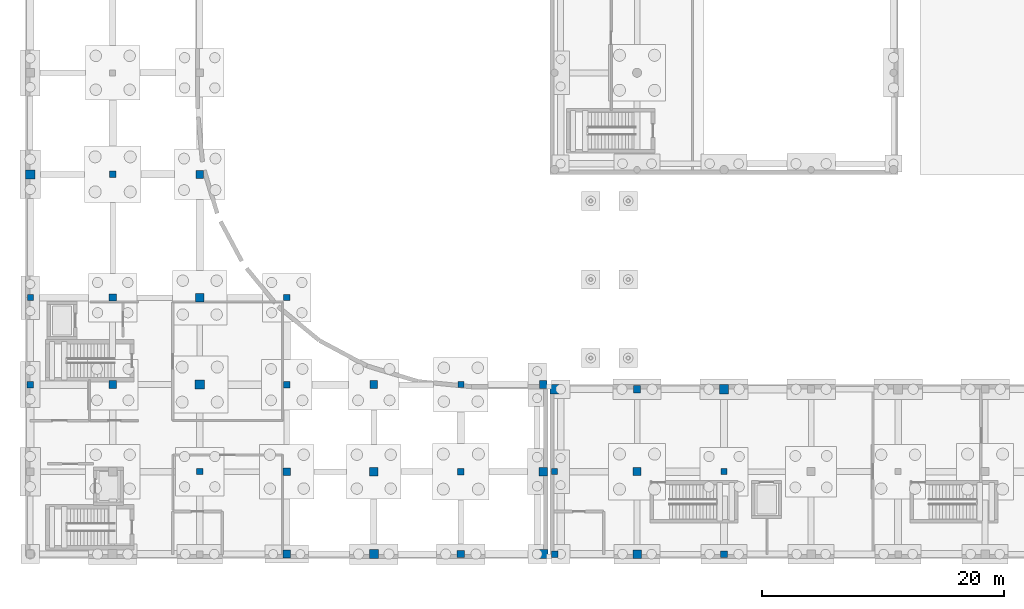
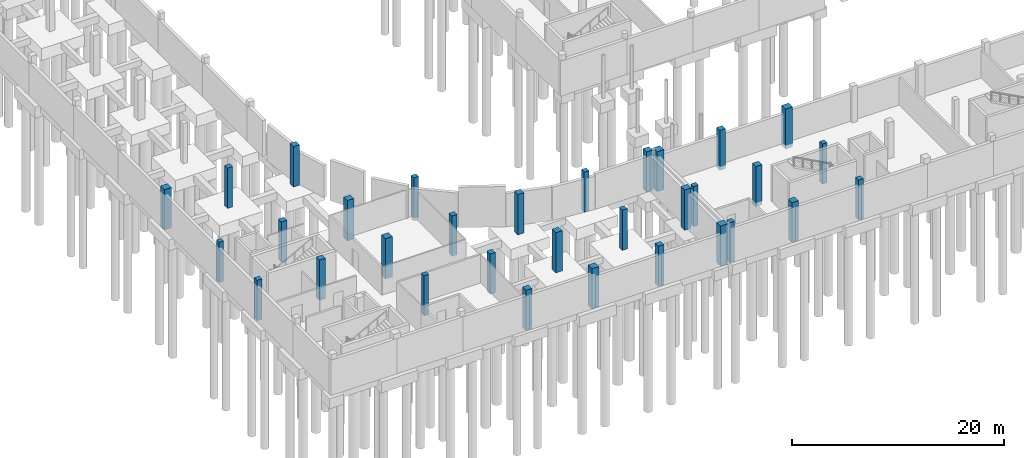
# One storey, part 11 of 41: 32 columns.
"""IFC4 building model written with IfcOpenShell, lengths in metres."""

import ifcopenshell
import ifcopenshell.guid

model = None  # the IFC model being written
_history = None  # IfcOwnerHistory: only IFC2X3 demands one
_inside = {}  # id of a spatial element -> (the spatial element, [elements in it])
_under = {}  # id of a project, library or spatial element -> (it, [spatial elements below it])
_declared = {}  # id of a project -> (the project, [libraries it declares])
_typed = {}  # id of a type object -> (the type object, [elements of that type])
_made_of = {}  # id of a material, layer set ... -> (it, [elements and type objects made of it])


def new_model(schema):
    """Start an empty IFC model of exactly this schema.

    Asked for "IFC4X3", IfcOpenShell would pick the latest addendum, in which some entities
    have other attributes; the version numbers below select the first issue.
    IFC2X3 requires an IfcOwnerHistory on every rooted entity: one is made here for all.
    """
    global model, _history
    if schema == "IFC4X3":
        model = ifcopenshell.file(schema_version=(4, 3, 0, 0))
    else:
        model = ifcopenshell.file(schema=schema)
    _inside.clear()
    _under.clear()
    _declared.clear()
    _typed.clear()
    _made_of.clear()
    _history = None
    if model.schema == "IFC2X3":
        org = make("IfcOrganization", Name="unknown")
        user = make(
            "IfcPersonAndOrganization",
            ThePerson=make("IfcPerson", FamilyName="unknown"),
            TheOrganization=org,
        )
        app = make(
            "IfcApplication",
            ApplicationDeveloper=org,
            Version="unknown",
            ApplicationFullName="unknown",
            ApplicationIdentifier="unknown",
        )
        _history = make(
            "IfcOwnerHistory",
            OwningUser=user,
            OwningApplication=app,
            ChangeAction="ADDED",
            CreationDate=0,
        )
    return model


def make(cls, **values):
    """One entity of the class cls with the attributes given. An attribute that is None is left unset."""
    return model.create_entity(
        cls, **{name: value for name, value in values.items() if value is not None}
    )


def rooted(cls, **values):
    """An entity with a GlobalId (a new one), such as an element, a storey or a relation."""
    return make(cls, GlobalId=ifcopenshell.guid.new(), OwnerHistory=_history, **values)


def si_unit(unit_type, name, prefix=None):
    """IfcSIUnit, for example si_unit("LENGTHUNIT", "METRE", prefix="MILLI")."""
    return make("IfcSIUnit", UnitType=unit_type, Prefix=prefix, Name=name)


def assignment(units):
    """IfcUnitAssignment: the units of a project."""
    return None if units is None else make("IfcUnitAssignment", Units=units)


def point(xyz):
    """IfcCartesianPoint."""
    return None if xyz is None else make("IfcCartesianPoint", Coordinates=xyz)


def direction(xyz):
    """IfcDirection."""
    return None if xyz is None else make("IfcDirection", DirectionRatios=xyz)


def frame(location, z_axis=None, x_axis=None):
    """IfcAxis2Placement3D, a coordinate frame: its origin and axes. An axis left out is left unset."""
    return make(
        "IfcAxis2Placement3D",
        Location=point(location),
        Axis=direction(z_axis),
        RefDirection=direction(x_axis),
    )


def frame_2d(location, x_axis=None):
    """IfcAxis2Placement2D, a coordinate frame in the plane: its origin and x axis."""
    return make(
        "IfcAxis2Placement2D", Location=point(location), RefDirection=direction(x_axis)
    )


def origin():
    """The frame at (0, 0, 0) with its axes left unset."""
    return frame((0.0, 0.0, 0.0))


def origin_2d():
    """The frame at (0, 0) in the plane with its x axis left unset."""
    return frame_2d((0.0, 0.0))


def place(relative_to, where):
    """IfcLocalPlacement: puts the frame where relative to a parent placement (None: the world)."""
    return make(
        "IfcLocalPlacement", PlacementRelTo=relative_to, RelativePlacement=where
    )


def context(
    kind, dimensions, precision=None, world=None, true_north=None, identifier=None
):
    """IfcGeometricRepresentationContext, for example the 3D "Model" context."""
    return make(
        "IfcGeometricRepresentationContext",
        ContextIdentifier=identifier,
        ContextType=kind,
        CoordinateSpaceDimension=dimensions,
        Precision=precision,
        WorldCoordinateSystem=world,
        TrueNorth=true_north,
    )


def subcontext(parent, identifier, kind, view, scale=None):
    """IfcGeometricRepresentationSubContext, for example "Body" below "Model"."""
    return make(
        "IfcGeometricRepresentationSubContext",
        ContextIdentifier=identifier,
        ContextType=kind,
        ParentContext=parent,
        TargetScale=scale,
        TargetView=view,
    )


def project(units=None, contexts=None):
    """IfcProject with its units and contexts."""
    return rooted(
        "IfcProject",
        Name="project",
        RepresentationContexts=contexts,
        UnitsInContext=assignment(units),
    )


def spatial(cls, under=None, at=None, **own):
    """A site, building, storey or space (cls), placed at a placement, below another one or the project."""
    s = rooted(cls, ObjectPlacement=at, **own)
    if under is not None:
        _under.setdefault(under.id(), (under, []))[1].append(s)
    return s


def profile(cls, at=None, kind="AREA", **sizes):
    """A parametric profile (cls). Its sizes go by their IFC names, for example OverallWidth=200.0."""
    return make(cls, ProfileType=kind, Position=at, **sizes)


def rectangle(**sizes):
    """IfcRectangleProfileDef."""
    return profile("IfcRectangleProfileDef", **sizes)


def extrude(swept, where, along, depth):
    """IfcExtrudedAreaSolid: the profile swept, set in the frame where, extruded along a direction by depth."""
    return make(
        "IfcExtrudedAreaSolid",
        SweptArea=swept,
        Position=where,
        ExtrudedDirection=direction(along),
        Depth=depth,
    )


def shape(context_of_items, identifier, shape_type, items):
    """IfcShapeRepresentation: the items that make up one representation, for example the "Body"."""
    return make(
        "IfcShapeRepresentation",
        ContextOfItems=context_of_items,
        RepresentationIdentifier=identifier,
        RepresentationType=shape_type,
        Items=items,
    )


def material(Name=None, Category=None):
    """IfcMaterial."""
    return make("IfcMaterial", Name=Name, Category=Category)


def material_profile(
    of_material, cross_section, Name=None, Category=None, Priority=None
):
    """IfcMaterialProfile: a cross section and its material."""
    return make(
        "IfcMaterialProfile",
        Name=Name,
        Material=of_material,
        Profile=cross_section,
        Priority=Priority,
        Category=Category,
    )


def profile_set(profiles, Name=None, composite=None):
    """IfcMaterialProfileSet."""
    return make(
        "IfcMaterialProfileSet",
        Name=Name,
        MaterialProfiles=profiles,
        CompositeProfile=composite,
    )


def made_of(thing, what):
    """Note that an element or type object is made of a material, layer set ...; save() writes the relation."""
    if what is not None:
        _made_of.setdefault(what.id(), (what, []))[1].append(thing)
    return thing


def type_object(cls, material=None, **own):
    """A type object (cls), such as IfcWallType, which elements share."""
    return made_of(rooted(cls, **own), material)


def element(
    cls,
    number,
    at=None,
    inside=None,
    cuts=None,
    type_object=None,
    material=None,
    context=None,
    identifier="Body",
    shape_type=None,
    held_by="IfcProductDefinitionShape",
    body=None,
    shapes=None,
    **own,
):
    """One element of the class cls, such as IfcWall. Its Tag is "e" and its number.

    at: its placement. inside: the storey or other place that contains it. cuts: it is an
    opening in that element (IfcRelVoidsElement). A single representation is given by context,
    identifier, shape_type and body (its items); several are given by shapes. held_by: the class
    of the entity that holds the representations. save() writes the other relations.
    """
    e = rooted(cls, Tag="e%d" % number, ObjectPlacement=at, **own)
    if body is not None:
        shapes = [shape(context, identifier, shape_type, body)]
    if shapes is not None:
        e.Representation = make(held_by, Representations=shapes)
    if inside is not None:
        _inside.setdefault(inside.id(), (inside, []))[1].append(e)
    if cuts is not None:
        rooted(
            "IfcRelVoidsElement", RelatingBuildingElement=cuts, RelatedOpeningElement=e
        )
    if type_object is not None:
        _typed.setdefault(type_object.id(), (type_object, []))[1].append(e)
    return made_of(e, material)


def aggregate(whole, parts):
    """IfcRelAggregates: a whole, such as a stair, and the parts it consists of."""
    return rooted("IfcRelAggregates", RelatingObject=whole, RelatedObjects=parts)


def save(model, path):
    """Write the relations noted so far, then the file.

    IfcRelAggregates (storeys below a building ...), IfcRelContainedInSpatialStructure (elements
    in a storey), IfcRelDefinesByType, IfcRelAssociatesMaterial and IfcRelDeclares: one each for
    every whole, place, type object, material and project.
    """
    for whole, parts in _under.values():
        aggregate(whole, parts)
    for where, things in _inside.values():
        rooted(
            "IfcRelContainedInSpatialStructure",
            RelatedElements=things,
            RelatingStructure=where,
        )
    for kind, things in _typed.values():
        rooted("IfcRelDefinesByType", RelatedObjects=things, RelatingType=kind)
    for what, things in _made_of.values():
        rooted("IfcRelAssociatesMaterial", RelatedObjects=things, RelatingMaterial=what)
    for by, libraries in _declared.values():
        rooted("IfcRelDeclares", RelatingContext=by, RelatedDefinitions=libraries)
    model.write(path)


model = new_model("IFC4")

# Units and contexts
model_context = context("Model", 3, precision=1e-05, world=origin(), true_north=direction((0.0, 1.0)))
body_context = subcontext(model_context, "Body", "Model", "MODEL_VIEW")
ifc_project = project(units=[si_unit("LENGTHUNIT", "METRE"), si_unit("AREAUNIT", "SQUARE_METRE"), si_unit("VOLUMEUNIT", "CUBIC_METRE"), si_unit("PLANEANGLEUNIT", "RADIAN"), si_unit("MASSUNIT", "GRAM", prefix="KILO")], contexts=[model_context])

# Site, building, storey
site_placement = place(None, origin())
site = spatial("IfcSite", under=ifc_project, at=site_placement, CompositionType="ELEMENT")
building_placement = place(site_placement, origin())
building = spatial("IfcBuilding", under=site, at=building_placement, Name="Vardoun Plaza Health Centre", CompositionType="ELEMENT")
storey_placement = place(building_placement, frame((0.0, 0.0, -4.5)))
storey = spatial("IfcBuildingStorey", under=building, at=storey_placement, Name="B1", CompositionType="ELEMENT", Elevation=-4.5)

# Columns
ifc_material_1 = material(Name="Concrete C40/50", Category="concrete")
ifc_material_profile_1 = material_profile(ifc_material_1, rectangle(XDim=0.5, YDim=0.5, at=origin_2d()), Name="RC-COL 500x500")
ifc_profile_set_1 = profile_set([ifc_material_profile_1], Name="Concrete C40/50")
column_type_1 = type_object("IfcColumnType", Name="C-06", PredefinedType="COLUMN", material=ifc_profile_set_1)
for number, where, z_axis, x_axis, name in (
    (1, (4.8798828125, 26.10009765625, -0.419921875), (0.0, 0.0, 1.0), (1.0, 0.0, 0.0), "V2 B1 Column C-V2-04"),
    (2, (18.89990234375, 11.699951171875, -0.419921875), (0.0, 0.0, 1.0), (1.0, 0.0, 0.0), "V2 B1 Column C-V2-22"),
    (3, (26.10009765625, 26.10009765625, -0.419921875), (0.0, 0.0, 1.0), (1.0, 0.0, 0.0), "V2 B1 Column C-V2-34"),
    (4, (40.5, 18.89990234375, -0.419921875), (0.0, 0.0, 1.0), (1.0, 0.0, 0.0), "V2 B1 Column C-V2-40"),
):
    element("IfcColumn", number, at=place(storey_placement, frame(where, z_axis=z_axis, x_axis=x_axis)), inside=storey, type_object=column_type_1, Name=name, PredefinedType="COLUMN", context=body_context, shape_type="SweptSolid", body=[
        extrude(rectangle(XDim=0.5, YDim=0.5, at=origin_2d()), origin(), (0.0, 0.0, 1.0), 4.639892578125),
    ])
for number, where, z_axis, x_axis, name in (
    (5, (48.260009765625, 11.699951171875, -0.419921875), (0.0, 0.0, 1.0), (1.0, 0.0, 0.0), "V4 B1 Column C-V4-02"),
    (6, (62.280029296875, 11.699951171875, -0.419921875), (0.0, 0.0, 1.0), (1.0, 0.0, 0.0), "V4 B1 Column C-V4-08"),
):
    element("IfcColumn", number, at=place(storey_placement, frame(where, z_axis=z_axis, x_axis=x_axis)), inside=storey, type_object=column_type_1, Name=name, PredefinedType="COLUMN", context=body_context, shape_type="SweptSolid", body=[
        extrude(rectangle(XDim=0.5, YDim=0.5, at=origin_2d()), origin(), (0.0, 0.0, 1.0), 4.60498046875),
    ])
ifc_material_2 = material(Name="Concrete C40/50", Category="concrete")
ifc_material_profile_2 = material_profile(ifc_material_2, rectangle(XDim=0.550048828125, YDim=0.550048828125, at=origin_2d()), Name="RC-COL 550x550")
ifc_profile_set_2 = profile_set([ifc_material_profile_2], Name="Concrete C40/50")
column_type_2 = type_object("IfcColumnType", Name="C-05", PredefinedType="COLUMN", material=ifc_profile_set_2)
for number, where, z_axis, x_axis, name in (
    (7, (4.8798828125, 18.89990234375, -0.419921875), (0.0, 0.0, 1.0), (1.0, 0.0, 0.0), "V2 B1 Column C-V2-03"),
    (8, (11.699951171875, 36.300048828125, -0.419921875), (0.0, 0.0, 1.0), (1.0, 0.0, 0.0), "V2 B1 Column C-V2-15"),
    (9, (26.10009765625, 18.89990234375, -0.419921875), (0.0, 0.0, 1.0), (1.0, 0.0, 0.0), "V2 B1 Column C-V2-33"),
    (10, (40.5, 11.699951171875, -0.419921875), (0.0, 0.0, 1.0), (1.0, 0.0, 0.0), "V2 B1 Column C-V2-39"),
):
    element("IfcColumn", number, at=place(storey_placement, frame(where, z_axis=z_axis, x_axis=x_axis)), inside=storey, type_object=column_type_2, Name=name, PredefinedType="COLUMN", context=body_context, shape_type="SweptSolid", body=[
        extrude(rectangle(XDim=0.550048828125, YDim=0.550048828125, at=origin_2d()), origin(), (0.0, 0.0, 1.0), 4.639892578125),
    ])
for number, where, z_axis, x_axis, name in (
    (11, (48.260009765625, 4.8798828125, -0.419921875), (0.0, 0.0, 1.0), (1.0, 0.0, 0.0), "V4 B1 Column C-V4-01"),
    (12, (62.280029296875, 4.8798828125, -0.419921875), (0.0, 0.0, 1.0), (1.0, 0.0, 0.0), "V4 B1 Column C-V4-07"),
):
    element("IfcColumn", number, at=place(storey_placement, frame(where, z_axis=z_axis, x_axis=x_axis)), inside=storey, type_object=column_type_2, Name=name, PredefinedType="COLUMN", context=body_context, shape_type="SweptSolid", body=[
        extrude(rectangle(XDim=0.550048828125, YDim=0.550048828125, at=origin_2d()), origin(), (0.0, 0.0, 1.0), 4.60498046875),
    ])
ifc_material_3 = material(Name="Concrete C40/50", Category="concrete")
ifc_material_profile_3 = material_profile(ifc_material_3, rectangle(XDim=0.60009765625, YDim=0.60009765625, at=origin_2d()), Name="RC-COL 600x600")
ifc_profile_set_3 = profile_set([ifc_material_profile_3], Name="Concrete C40/50")
column_type_3 = type_object("IfcColumnType", Name="C-04", PredefinedType="COLUMN", material=ifc_profile_set_3)
for number, where, z_axis, x_axis, name in (
    (13, (11.699951171875, 26.10009765625, -0.419921875), (0.0, 0.0, 1.0), (1.0, 0.0, 0.0), "V2 B1 Column C-V2-14"),
    (14, (26.10009765625, 11.699951171875, -0.419921875), (0.0, 0.0, 1.0), (1.0, 0.0, 0.0), "V2 B1 Column C-V2-32"),
    (15, (40.5, 4.8798828125, -0.419921875), (0.0, 0.0, 1.0), (1.0, 0.0, 0.0), "V2 B1 Column C-V2-38"),
):
    element("IfcColumn", number, at=place(storey_placement, frame(where, z_axis=z_axis, x_axis=x_axis)), inside=storey, type_object=column_type_3, Name=name, PredefinedType="COLUMN", context=body_context, shape_type="SweptSolid", body=[
        extrude(rectangle(XDim=0.60009765625, YDim=0.60009765625, at=origin_2d()), origin(), (0.0, 0.0, 1.0), 4.639892578125),
    ])
column_1_placement = place(storey_placement, frame((55.080078125, 18.52001953125, -0.419921875), z_axis=(0.0, 0.0, 1.0), x_axis=(1.0, 0.0, 0.0)))
element("IfcColumn", 16, at=column_1_placement, inside=storey, type_object=column_type_3, Name="V4 B1 Column C-V4-06", PredefinedType="COLUMN", context=body_context, shape_type="SweptSolid", body=[
    extrude(rectangle(XDim=0.60009765625, YDim=0.60009765625, at=origin_2d()), origin(), (0.0, 0.0, 1.0), 4.60498046875),
])
ifc_material_4 = material(Name="Concrete C40/50", Category="concrete")
ifc_material_profile_4 = material_profile(ifc_material_4, rectangle(XDim=0.64990234375, YDim=0.64990234375, at=origin_2d()), Name="RC-COL 650x650")
ifc_profile_set_4 = profile_set([ifc_material_profile_4], Name="Concrete C40/50")
column_type_4 = type_object("IfcColumnType", Name="C-03", PredefinedType="COLUMN", material=ifc_profile_set_4)
for number, where, z_axis, x_axis, name in (
    (17, (11.699951171875, 18.89990234375, -0.419921875), (0.0, 0.0, 1.0), (1.0, 0.0, 0.0), "V2 B1 Column C-V2-13"),
    (18, (18.89990234375, 36.300048828125, -0.419921875), (0.0, 0.0, 1.0), (1.0, 0.0, 0.0), "V2 B1 Column C-V2-25"),
    (19, (26.10009765625, 4.8798828125, -0.419921875), (0.0, 0.0, 1.0), (1.0, 0.0, 0.0), "V2 B1 Column C-V2-31"),
    (20, (33.300048828125, 18.89990234375, -0.419921875), (0.0, 0.0, 1.0), (1.0, 0.0, 0.0), "V2 B1 Column C-V2-37"),
    (21, (47.320068359375, 18.89990234375, -0.419921875), (0.0, 0.0, 1.0), (1.0, 0.0, 0.0), "V2 B1 Column C-V2-43"),
):
    element("IfcColumn", number, at=place(storey_placement, frame(where, z_axis=z_axis, x_axis=x_axis)), inside=storey, type_object=column_type_4, Name=name, PredefinedType="COLUMN", context=body_context, shape_type="SweptSolid", body=[
        extrude(rectangle(XDim=0.64990234375, YDim=0.64990234375, at=origin_2d()), origin(), (0.0, 0.0, 1.0), 4.639892578125),
    ])
column_2_placement = place(storey_placement, frame((55.080078125, 11.699951171875, -0.419921875), z_axis=(0.0, 0.0, 1.0), x_axis=(1.0, 0.0, 0.0)))
element("IfcColumn", 22, at=column_2_placement, inside=storey, type_object=column_type_4, Name="V4 B1 Column C-V4-05", PredefinedType="COLUMN", context=body_context, shape_type="SweptSolid", body=[
    extrude(rectangle(XDim=0.64990234375, YDim=0.64990234375, at=origin_2d()), origin(), (0.0, 0.0, 1.0), 4.60498046875),
])
ifc_material_5 = material(Name="Concrete C40/50", Category="concrete")
ifc_material_profile_5 = material_profile(ifc_material_5, rectangle(XDim=0.699951171875, YDim=0.699951171875, at=origin_2d()), Name="RC-COL 700x700")
ifc_profile_set_5 = profile_set([ifc_material_profile_5], Name="Concrete C40/50")
column_type_5 = type_object("IfcColumnType", Name="C-02", PredefinedType="COLUMN", material=ifc_profile_set_5)
for number, where, z_axis, x_axis, name in (
    (23, (18.89990234375, 26.10009765625, -0.419921875), (0.0, 0.0, 1.0), (1.0, 0.0, 0.0), "V2 B1 Column C-V2-24"),
    (24, (33.300048828125, 11.699951171875, -0.419921875), (0.0, 0.0, 1.0), (1.0, 0.0, 0.0), "V2 B1 Column C-V2-36"),
    (25, (47.320068359375, 11.699951171875, -0.419921875), (0.0, 0.0, 1.0), (1.0, 0.0, 0.0), "V2 B1 Column C-V2-42"),
):
    element("IfcColumn", number, at=place(storey_placement, frame(where, z_axis=z_axis, x_axis=x_axis)), inside=storey, type_object=column_type_5, Name=name, PredefinedType="COLUMN", context=body_context, shape_type="SweptSolid", body=[
        extrude(rectangle(XDim=0.699951171875, YDim=0.699951171875, at=origin_2d()), origin(), (0.0, 0.0, 1.0), 4.639892578125),
    ])
column_3_placement = place(storey_placement, frame((55.080078125, 4.8798828125, -0.419921875), z_axis=(0.0, 0.0, 1.0), x_axis=(1.0, 0.0, 0.0)))
element("IfcColumn", 26, at=column_3_placement, inside=storey, type_object=column_type_5, Name="V4 B1 Column C-V4-04", PredefinedType="COLUMN", context=body_context, shape_type="SweptSolid", body=[
    extrude(rectangle(XDim=0.699951171875, YDim=0.699951171875, at=origin_2d()), origin(), (0.0, 0.0, 1.0), 4.60498046875),
])
ifc_material_6 = material(Name="Concrete C40/50", Category="concrete")
ifc_material_profile_6 = material_profile(ifc_material_6, rectangle(XDim=0.75, YDim=0.75, at=origin_2d()), Name="RC-COL 750x750")
ifc_profile_set_6 = profile_set([ifc_material_profile_6], Name="Concrete C40/50")
column_type_6 = type_object("IfcColumnType", Name="C-01", PredefinedType="COLUMN", material=ifc_profile_set_6)
for number, where, z_axis, x_axis, name in (
    (27, (4.8798828125, 36.300048828125, -0.419921875), (0.0, 0.0, 1.0), (1.0, 0.0, 0.0), "V2 B1 Column C-V2-05"),
    (28, (18.89990234375, 18.89990234375, -0.419921875), (0.0, 0.0, 1.0), (1.0, 0.0, 0.0), "V2 B1 Column C-V2-23"),
    (29, (33.300048828125, 4.8798828125, -0.419921875), (0.0, 0.0, 1.0), (1.0, 0.0, 0.0), "V2 B1 Column C-V2-35"),
    (30, (47.320068359375, 4.8798828125, -0.419921875), (0.0, 0.0, 1.0), (1.0, 0.0, 0.0), "V2 B1 Column C-V2-41"),
):
    element("IfcColumn", number, at=place(storey_placement, frame(where, z_axis=z_axis, x_axis=x_axis)), inside=storey, type_object=column_type_6, Name=name, PredefinedType="COLUMN", context=body_context, shape_type="SweptSolid", body=[
        extrude(rectangle(XDim=0.75, YDim=0.75, at=origin_2d()), origin(), (0.0, 0.0, 1.0), 4.639892578125),
    ])
for number, where, z_axis, x_axis, name in (
    (31, (48.260009765625, 18.52001953125, -0.419921875), (0.0, 0.0, 1.0), (1.0, 0.0, 0.0), "V4 B1 Column C-V4-03"),
    (32, (62.280029296875, 18.52001953125, -0.419921875), (0.0, 0.0, 1.0), (1.0, 0.0, 0.0), "V4 B1 Column C-V4-09"),
):
    element("IfcColumn", number, at=place(storey_placement, frame(where, z_axis=z_axis, x_axis=x_axis)), inside=storey, type_object=column_type_6, Name=name, PredefinedType="COLUMN", context=body_context, shape_type="SweptSolid", body=[
        extrude(rectangle(XDim=0.75, YDim=0.75, at=origin_2d()), origin(), (0.0, 0.0, 1.0), 4.60498046875),
    ])

save(model, "model.ifc")
